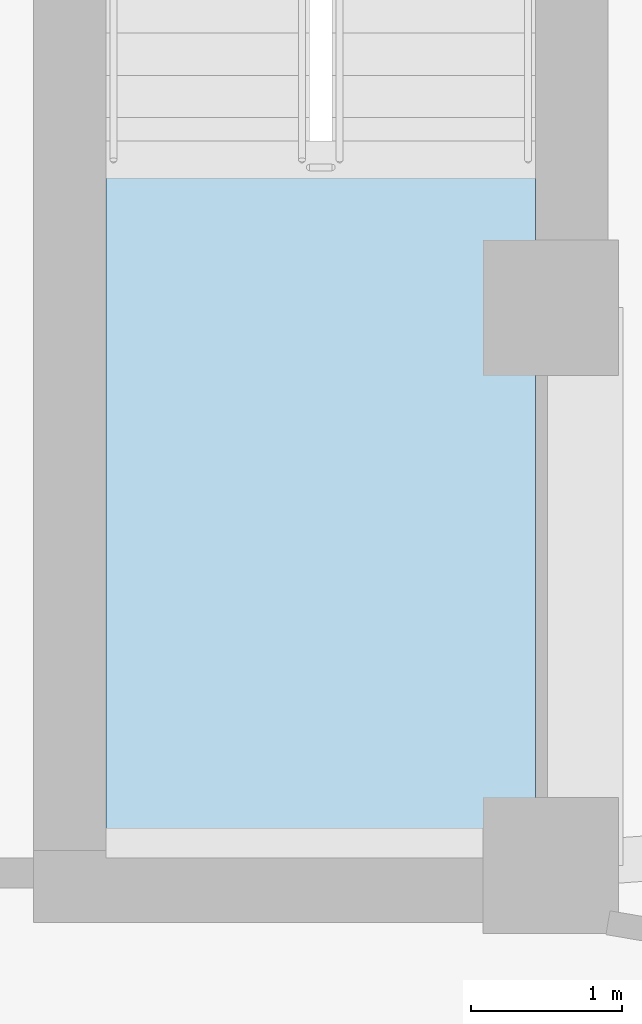
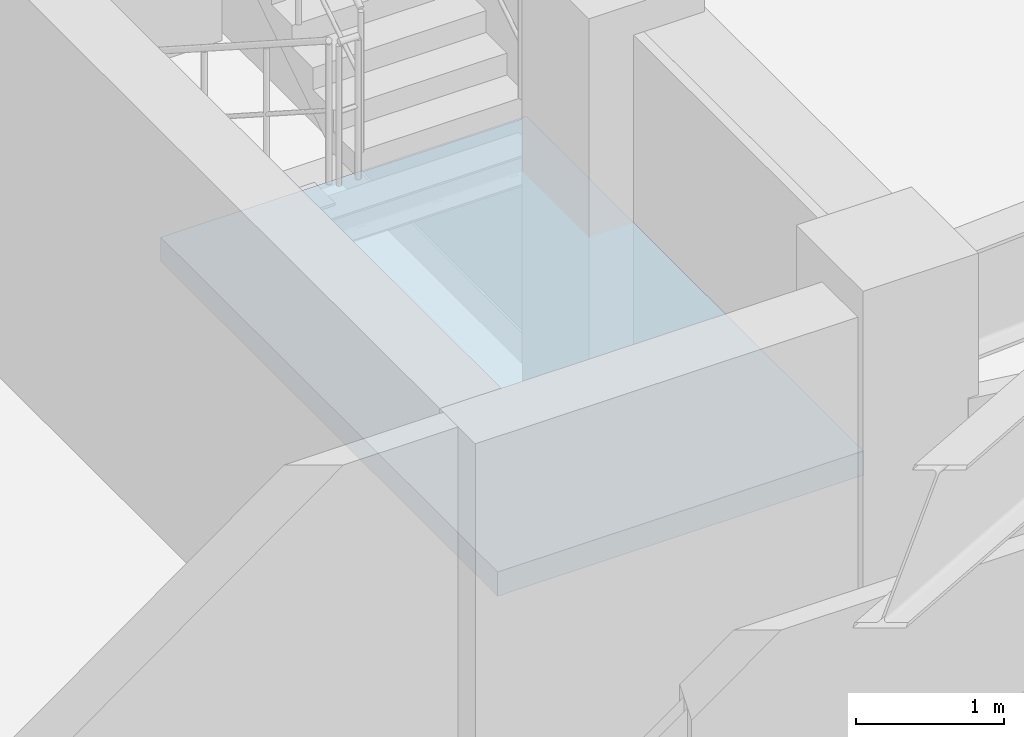
# One storey, part 3 of 13: 1 slab, 1 element without a shape of its own.
"""IFC4 building model written with IfcOpenShell, lengths in metres."""

from ifc_helpers import new_model, si_unit, direction, frame, origin, place, context, subcontext, project, spatial, polyline, outline, extrude, material, layer, layer_set, type_object, element, aggregate, save


model = new_model("IFC4")

# Units and contexts
model_context = context("Model", 3, precision=1e-05, world=origin(), true_north=direction((0.0, 1.0)))
body_context = subcontext(model_context, "Body", "Model", "MODEL_VIEW")
ifc_project = project(units=[si_unit("LENGTHUNIT", "METRE"), si_unit("AREAUNIT", "SQUARE_METRE"), si_unit("VOLUMEUNIT", "CUBIC_METRE"), si_unit("PLANEANGLEUNIT", "RADIAN"), si_unit("MASSUNIT", "GRAM", prefix="KILO")], contexts=[model_context])

# Site, building, storey
site_placement = place(None, origin())
site = spatial("IfcSite", under=ifc_project, at=site_placement, CompositionType="ELEMENT")
building_placement = place(site_placement, origin())
building = spatial("IfcBuilding", under=site, at=building_placement, Name="Miruveldt Soraemaru", CompositionType="ELEMENT")
storey_placement = place(building_placement, frame((0.0, 0.0, 201.60009765625)))
storey = spatial("IfcBuildingStorey", under=building, at=storey_placement, Name="L55", CompositionType="ELEMENT", Elevation=201.60009765625)

# Stair, slab
ifc_material = material(Name="Concrete C40/50 (40 MPa)", Category="concrete")
stair_type = type_object("IfcStairType", Name="STAIR-DL-360", PredefinedType="HALF_TURN_STAIR", material=ifc_material)
stair_placement = place(storey_placement, origin())
stair = element("IfcStair", 1, at=stair_placement, inside=storey, type_object=stair_type, Name="L55 Protected Exit Stair ST-2", PredefinedType="HALF_TURN_STAIR")
ifc_layer = layer(ifc_material, 0.199951171875, Name="Concrete C40/50 (40 MPa)", Category="concrete")
ifc_layer_set = layer_set([ifc_layer], Name="Concrete C40/50 (40 MPa)")
slab_type = type_object("IfcSlabType", Name="SLAB-LAND-200", PredefinedType="LANDING", material=ifc_layer_set)
slab_placement = place(storey_placement, frame((0.0, 0.0, 1.599853515625)))
slab = element("IfcSlab", 2, at=slab_placement, type_object=slab_type, Name="ST-2 landing 1", PredefinedType="LANDING", context=body_context, shape_type="SweptSolid", body=[
    extrude(outline(polyline([(49.550048828125, 40.197998046875), (49.550048828125, 35.64990234375), (52.39990234375, 35.64990234375), (52.39990234375, 40.197998046875), (49.550048828125, 40.197998046875)])), origin(), (0.0, 0.0, 1.0), 0.199951171875),
])
aggregate(stair, [slab])

save(model, "model.ifc")
